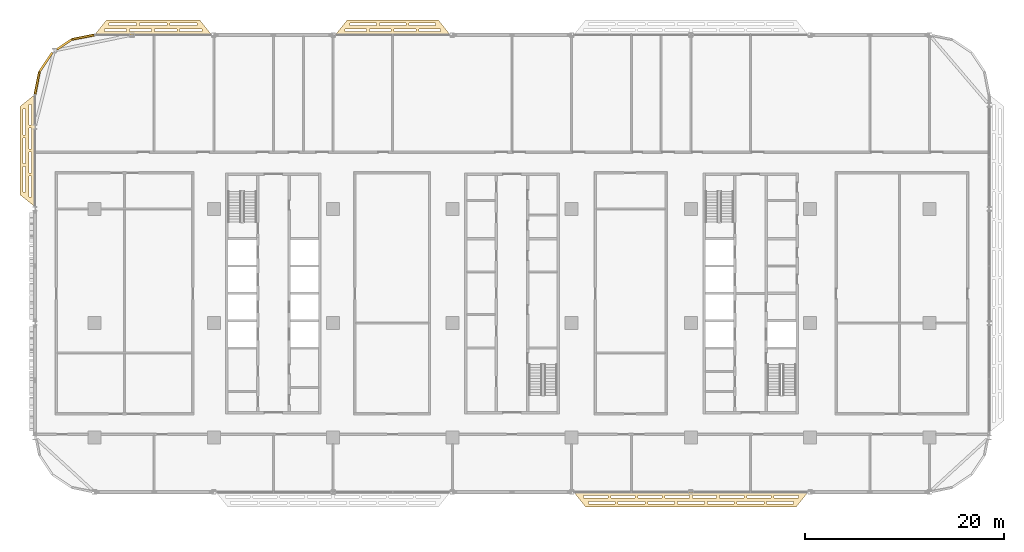
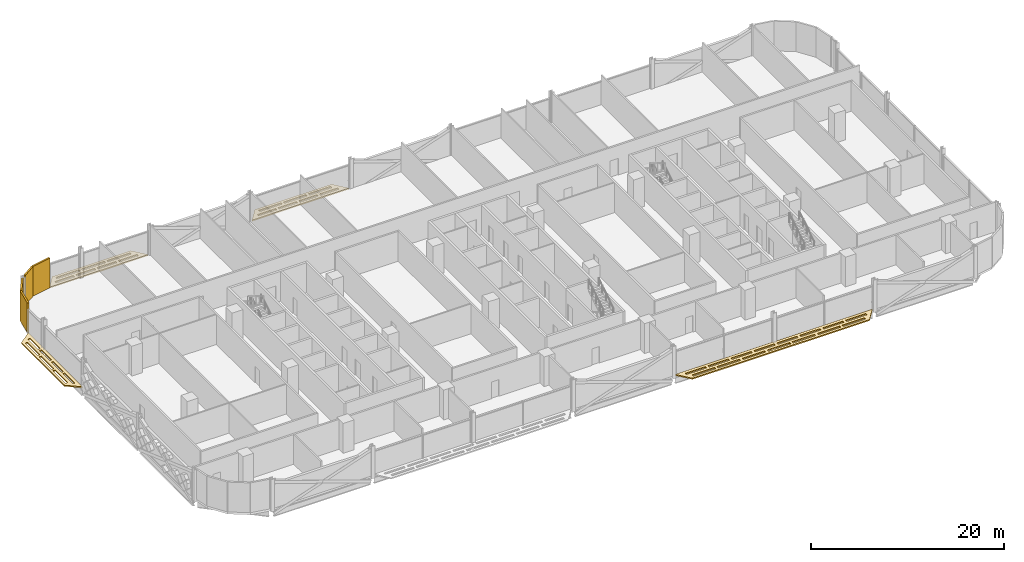
# One storey, part 27 of 29: 8 coverings.
"""IFC4 building model written with IfcOpenShell, lengths in metres."""

from ifc_helpers import new_model, si_unit, direction, frame, origin, origin_2d, place, context, subcontext, project, spatial, polyline, rectangle, outline, extrude, material, layer, layer_set, type_object, element, save


model = new_model("IFC4")

# Units and contexts
model_context = context("Model", 3, precision=1e-05, world=origin(), true_north=direction((0.0, 1.0)))
body_context = subcontext(model_context, "Body", "Model", "MODEL_VIEW")
ifc_project = project(units=[si_unit("LENGTHUNIT", "METRE"), si_unit("AREAUNIT", "SQUARE_METRE"), si_unit("VOLUMEUNIT", "CUBIC_METRE"), si_unit("PLANEANGLEUNIT", "RADIAN"), si_unit("MASSUNIT", "GRAM", prefix="KILO")], contexts=[model_context])

# Site, building, storey
site_placement = place(None, origin())
site = spatial("IfcSite", under=ifc_project, at=site_placement, CompositionType="ELEMENT")
building_placement = place(site_placement, origin())
building = spatial("IfcBuilding", under=site, at=building_placement, Name="Mahtab Terrace Research Tower", CompositionType="ELEMENT")
storey_placement = place(building_placement, frame((0.0, 0.0, 126.10009765625)))
storey = spatial("IfcBuildingStorey", under=building, at=storey_placement, Name="L29", CompositionType="ELEMENT", Elevation=126.10009765625)

# Coverings
ifc_material_1 = material(Name="Black aluminium cladding panel", Category="aluminium")
ifc_layer_1 = layer(ifc_material_1, 0.199951171875)
ifc_layer_set_1 = layer_set([ifc_layer_1], Name="Black metal corner cladding 200")
covering_type_1 = type_object("IfcCoveringType", Name="Black metal corner cladding 200", PredefinedType="CLADDING", material=ifc_layer_set_1)
covering_1_placement = place(storey_placement, frame((-43.14794921875, 28.771484375, 0.0), z_axis=(0.0, 0.0, 1.0), x_axis=(-0.980760981187, -0.195212442692, 0.0)))
element("IfcCovering", 1, at=covering_1_placement, inside=storey, type_object=covering_type_1, Name="Corner cladding L29 11", PredefinedType="CLADDING", context=body_context, shape_type="SweptSolid", body=[
    extrude(rectangle(XDim=2.30126953125, YDim=0.199951171875, at=origin_2d()), origin(), (0.0, 0.0, 1.0), 3.760009765625),
])
covering_2_placement = place(storey_placement, frame((-45.049560546875, 28.039794921875, 0.0), z_axis=(0.0, 0.0, 1.0), x_axis=(-0.831655794326, -0.555291490808, 0.0)))
element("IfcCovering", 2, at=covering_2_placement, inside=storey, type_object=covering_type_1, Name="Corner cladding L29 12", PredefinedType="CLADDING", context=body_context, shape_type="SweptSolid", body=[
    extrude(rectangle(XDim=1.772216796875, YDim=0.199951171875, at=origin_2d()), origin(), (0.0, 0.0, 1.0), 3.760009765625),
])
for number, where, z_axis, x_axis, name in (
    (3, (-46.89306640625, 26.26953125, 0.0), (0.0, 0.0, 1.0), (-0.555291490808, -0.831655794326, 0.0), "Corner cladding L29 13"),
    (4, (-47.771484375, 24.14794921875, 0.0), (0.0, 0.0, 1.0), (-0.195212442692, -0.980760981187, 0.0), "Corner cladding L29 14"),
):
    element("IfcCovering", number, at=place(storey_placement, frame(where, z_axis=z_axis, x_axis=x_axis)), inside=storey, type_object=covering_type_1, Name=name, PredefinedType="CLADDING", context=body_context, shape_type="SweptSolid", body=[
        extrude(rectangle(XDim=2.30126953125, YDim=0.199951171875, at=origin_2d()), origin(), (0.0, 0.0, 1.0), 3.760009765625),
    ])
ifc_material_2 = material(Name="Black anodised aluminium", Category="aluminium")
ifc_layer_2 = layer(ifc_material_2, 0.14990234375)
ifc_layer_set_2 = layer_set([ifc_layer_2], Name="Horizontal sunshade band")
covering_type_2 = type_object("IfcCoveringType", Name="Horizontal sunshade band", PredefinedType="CLADDING", material=ifc_layer_set_2)
covering_3_placement = place(storey_placement, frame((0.0, 0.0, -0.150146484375)))
element("IfcCovering", 5, at=covering_3_placement, inside=storey, type_object=covering_type_2, Name="Sunshade band L29 7", PredefinedType="CLADDING", context=body_context, shape_type="SweptSolid", body=[
    extrude(outline(polyline([(-6.218017578125, 29.0), (-17.781982421875, 29.0), (-16.58203125, 30.5), (-7.41796875, 30.5), (-6.218017578125, 29.0)]), holes=[polyline([(-7.197998046875, 29.35009765625), (-9.3740234375, 29.35009765625), (-9.3740234375, 29.60009765625), (-7.197998046875, 29.60009765625), (-7.197998046875, 29.35009765625)]), polyline([(-9.674072265625, 29.35009765625), (-11.85009765625, 29.35009765625), (-11.85009765625, 29.60009765625), (-9.674072265625, 29.60009765625), (-9.674072265625, 29.35009765625)]), polyline([(-12.14990234375, 29.35009765625), (-14.325927734375, 29.35009765625), (-14.325927734375, 29.60009765625), (-12.14990234375, 29.60009765625), (-12.14990234375, 29.35009765625)]), polyline([(-14.6259765625, 29.35009765625), (-16.802001953125, 29.35009765625), (-16.802001953125, 29.60009765625), (-14.6259765625, 29.60009765625), (-14.6259765625, 29.35009765625)]), polyline([(-7.677978515625, 29.949951171875), (-10.35888671875, 29.949951171875), (-10.35888671875, 30.199951171875), (-7.677978515625, 30.199951171875), (-7.677978515625, 29.949951171875)]), polyline([(-10.658935546875, 29.949951171875), (-13.341064453125, 29.949951171875), (-13.341064453125, 30.199951171875), (-10.658935546875, 30.199951171875), (-10.658935546875, 29.949951171875)]), polyline([(-13.64111328125, 29.949951171875), (-16.322021484375, 29.949951171875), (-16.322021484375, 30.199951171875), (-13.64111328125, 30.199951171875), (-13.64111328125, 29.949951171875)])]), origin(), (0.0, 0.0, 1.0), 0.150146484375),
])
covering_4_placement = place(storey_placement, frame((0.0, 0.0, -0.150146484375)))
element("IfcCovering", 6, at=covering_4_placement, inside=storey, type_object=covering_type_2, Name="Sunshade band L29 9", PredefinedType="CLADDING", context=body_context, shape_type="SweptSolid", body=[
    extrude(outline(polyline([(-30.218017578125, 29.0), (-42.0, 29.0), (-40.800048828125, 30.5), (-31.41796875, 30.5), (-30.218017578125, 29.0)]), holes=[polyline([(-31.197998046875, 29.35009765625), (-33.427978515625, 29.35009765625), (-33.427978515625, 29.60009765625), (-31.197998046875, 29.60009765625), (-31.197998046875, 29.35009765625)]), polyline([(-33.72900390625, 29.35009765625), (-35.958984375, 29.35009765625), (-35.958984375, 29.60009765625), (-33.72900390625, 29.60009765625), (-33.72900390625, 29.35009765625)]), polyline([(-36.259033203125, 29.35009765625), (-38.489013671875, 29.35009765625), (-38.489013671875, 29.60009765625), (-36.259033203125, 29.60009765625), (-36.259033203125, 29.35009765625)]), polyline([(-38.7900390625, 29.35009765625), (-41.02001953125, 29.35009765625), (-41.02001953125, 29.60009765625), (-38.7900390625, 29.60009765625), (-38.7900390625, 29.35009765625)]), polyline([(-31.677978515625, 29.949951171875), (-34.431884765625, 29.949951171875), (-34.431884765625, 30.199951171875), (-31.677978515625, 30.199951171875), (-31.677978515625, 29.949951171875)]), polyline([(-34.73193359375, 29.949951171875), (-37.486083984375, 29.949951171875), (-37.486083984375, 30.199951171875), (-34.73193359375, 30.199951171875), (-34.73193359375, 29.949951171875)]), polyline([(-37.785888671875, 29.949951171875), (-40.5400390625, 29.949951171875), (-40.5400390625, 30.199951171875), (-37.785888671875, 30.199951171875), (-37.785888671875, 29.949951171875)])]), origin(), (0.0, 0.0, 1.0), 0.150146484375),
])
covering_5_placement = place(storey_placement, frame((0.0, 0.0, -0.150146484375)))
element("IfcCovering", 7, at=covering_5_placement, inside=storey, type_object=covering_type_2, Name="Sunshade band L29 15", PredefinedType="CLADDING", context=body_context, shape_type="SweptSolid", body=[
    extrude(outline(polyline([(-48.0, 23.0), (-48.0, 11.718017578125), (-49.5, 12.91796875), (-49.5, 21.800048828125), (-48.0, 23.0)]), holes=[polyline([(-48.35009765625, 22.02001953125), (-48.35009765625, 19.9150390625), (-48.60009765625, 19.9150390625), (-48.60009765625, 22.02001953125), (-48.35009765625, 22.02001953125)]), polyline([(-48.35009765625, 19.614013671875), (-48.35009765625, 17.509033203125), (-48.60009765625, 17.509033203125), (-48.60009765625, 19.614013671875), (-48.35009765625, 19.614013671875)]), polyline([(-48.35009765625, 17.208984375), (-48.35009765625, 15.10400390625), (-48.60009765625, 15.10400390625), (-48.60009765625, 17.208984375), (-48.35009765625, 17.208984375)]), polyline([(-48.35009765625, 14.803955078125), (-48.35009765625, 12.697998046875), (-48.60009765625, 12.697998046875), (-48.60009765625, 14.803955078125), (-48.35009765625, 14.803955078125)]), polyline([(-48.949951171875, 21.5400390625), (-48.949951171875, 18.952880859375), (-49.199951171875, 18.952880859375), (-49.199951171875, 21.5400390625), (-48.949951171875, 21.5400390625)]), polyline([(-48.949951171875, 18.653076171875), (-48.949951171875, 16.06494140625), (-49.199951171875, 16.06494140625), (-49.199951171875, 18.653076171875), (-48.949951171875, 18.653076171875)]), polyline([(-48.949951171875, 15.764892578125), (-48.949951171875, 13.177978515625), (-49.199951171875, 13.177978515625), (-49.199951171875, 15.764892578125), (-48.949951171875, 15.764892578125)])]), origin(), (0.0, 0.0, 1.0), 0.150146484375),
])
covering_6_placement = place(storey_placement, frame((0.0, 0.0, -0.150146484375)))
element("IfcCovering", 8, at=covering_6_placement, inside=storey, type_object=covering_type_2, Name="Sunshade band L29 28", PredefinedType="CLADDING", context=body_context, shape_type="SweptSolid", body=[
    extrude(outline(polyline([(6.218017578125, -17.0), (29.781982421875, -17.0), (28.58203125, -18.5), (7.41796875, -18.5), (6.218017578125, -17.0)]), holes=[polyline([(7.197998046875, -17.35009765625), (9.635986328125, -17.35009765625), (9.635986328125, -17.60009765625), (7.197998046875, -17.60009765625), (7.197998046875, -17.35009765625)]), polyline([(9.93603515625, -17.35009765625), (12.3740234375, -17.35009765625), (12.3740234375, -17.60009765625), (9.93603515625, -17.60009765625), (9.93603515625, -17.35009765625)]), polyline([(12.674072265625, -17.35009765625), (15.112060546875, -17.35009765625), (15.112060546875, -17.60009765625), (12.674072265625, -17.60009765625), (12.674072265625, -17.35009765625)]), polyline([(15.412109375, -17.35009765625), (17.85009765625, -17.35009765625), (17.85009765625, -17.60009765625), (15.412109375, -17.60009765625), (15.412109375, -17.35009765625)]), polyline([(18.14990234375, -17.35009765625), (20.587890625, -17.35009765625), (20.587890625, -17.60009765625), (18.14990234375, -17.60009765625), (18.14990234375, -17.35009765625)]), polyline([(20.887939453125, -17.35009765625), (23.325927734375, -17.35009765625), (23.325927734375, -17.60009765625), (20.887939453125, -17.60009765625), (20.887939453125, -17.35009765625)]), polyline([(23.6259765625, -17.35009765625), (26.06396484375, -17.35009765625), (26.06396484375, -17.60009765625), (23.6259765625, -17.60009765625), (23.6259765625, -17.35009765625)]), polyline([(26.364013671875, -17.35009765625), (28.802001953125, -17.35009765625), (28.802001953125, -17.60009765625), (26.364013671875, -17.60009765625), (26.364013671875, -17.35009765625)]), polyline([(7.677978515625, -17.949951171875), (10.3701171875, -17.949951171875), (10.3701171875, -18.199951171875), (7.677978515625, -18.199951171875), (7.677978515625, -17.949951171875)]), polyline([(10.669921875, -17.949951171875), (13.362060546875, -17.949951171875), (13.362060546875, -18.199951171875), (10.669921875, -18.199951171875), (10.669921875, -17.949951171875)]), polyline([(13.662109375, -17.949951171875), (16.35400390625, -17.949951171875), (16.35400390625, -18.199951171875), (13.662109375, -18.199951171875), (13.662109375, -17.949951171875)]), polyline([(16.654052734375, -17.949951171875), (19.345947265625, -17.949951171875), (19.345947265625, -18.199951171875), (16.654052734375, -18.199951171875), (16.654052734375, -17.949951171875)]), polyline([(19.64599609375, -17.949951171875), (22.337890625, -17.949951171875), (22.337890625, -18.199951171875), (19.64599609375, -18.199951171875), (19.64599609375, -17.949951171875)]), polyline([(22.637939453125, -17.949951171875), (25.330078125, -17.949951171875), (25.330078125, -18.199951171875), (22.637939453125, -18.199951171875), (22.637939453125, -17.949951171875)]), polyline([(25.6298828125, -17.949951171875), (28.322021484375, -17.949951171875), (28.322021484375, -18.199951171875), (25.6298828125, -18.199951171875), (25.6298828125, -17.949951171875)])]), origin(), (0.0, 0.0, 1.0), 0.150146484375),
])

save(model, "model.ifc")
